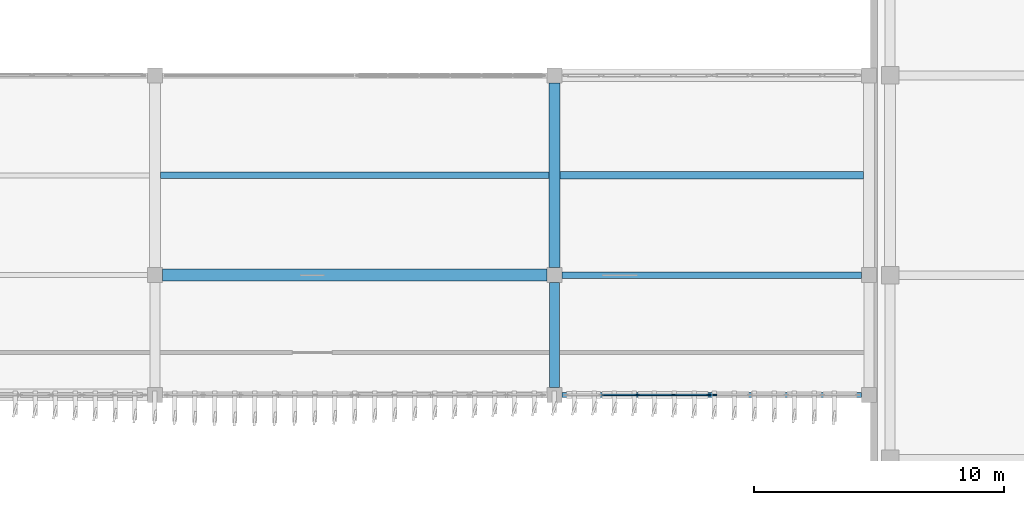
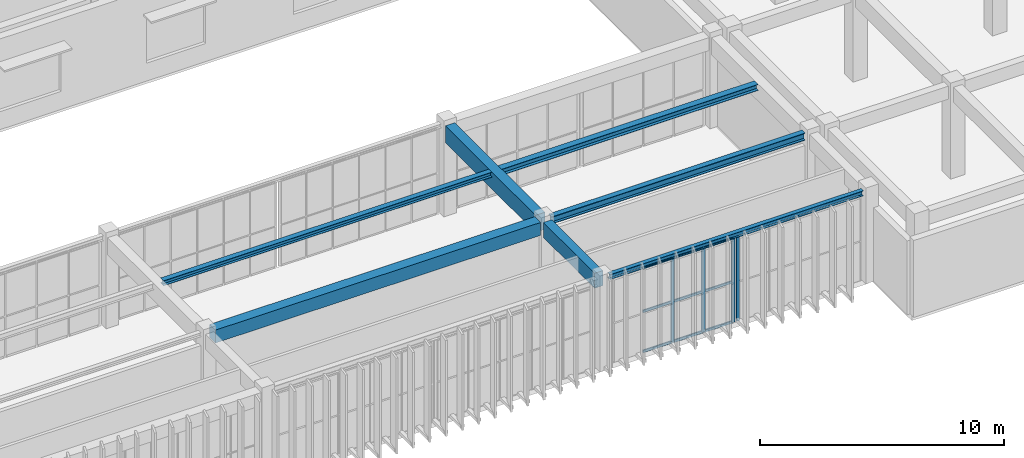
# One storey, part 17 of 64: 13 members, 7 beams, 2 elements without a shape of their own.
"""IFC4 building model written with IfcOpenShell, lengths in metres."""

from ifc_helpers import new_model, si_unit, direction, frame, origin, origin_2d, place, context, subcontext, project, spatial, rectangle, i_section, extrude, material, layer, layer_set, material_profile, profile_set, type_object, element, aggregate, save


model = new_model("IFC4")

# Units and contexts
model_context = context("Model", 3, precision=1e-05, world=origin(), true_north=direction((0.0, 1.0)))
body_context = subcontext(model_context, "Body", "Model", "MODEL_VIEW")
ifc_project = project(units=[si_unit("LENGTHUNIT", "METRE"), si_unit("AREAUNIT", "SQUARE_METRE"), si_unit("VOLUMEUNIT", "CUBIC_METRE"), si_unit("PLANEANGLEUNIT", "RADIAN"), si_unit("MASSUNIT", "GRAM", prefix="KILO")], contexts=[model_context])

# Site, building, storey
site_placement = place(None, origin())
site = spatial("IfcSite", under=ifc_project, at=site_placement, CompositionType="ELEMENT")
building_placement = place(site_placement, origin())
building = spatial("IfcBuilding", under=site, at=building_placement, Name="Cinchona Park Media Centre", CompositionType="ELEMENT")
storey_placement = place(building_placement, frame((0.0, 0.0, 5.39990234375)))
storey = spatial("IfcBuildingStorey", under=building, at=storey_placement, Name="L01", CompositionType="ELEMENT", Elevation=5.39990234375)

# Beams
ifc_material_1 = material(Name="Concrete C35/45", Category="concrete")
ifc_material_profile_1 = material_profile(ifc_material_1, rectangle(XDim=0.39990234375, YDim=0.75, at=origin_2d()), Name="RB 400X750")
ifc_profile_set_1 = profile_set([ifc_material_profile_1], Name="Concrete C35/45")
beam_type_1 = type_object("IfcBeamType", Name="BEAM-B01-RB400X750", PredefinedType="BEAM", material=ifc_profile_set_1)
beam_1_placement = place(storey_placement, frame((126.800048828125, 75.10009765625, 4.1650390625), z_axis=(0.0, 1.0, 0.0), x_axis=(-1.0, 0.0, 0.0)))
element("IfcBeam", 1, at=beam_1_placement, inside=storey, type_object=beam_type_1, Name="Girder B01 L01", PredefinedType="BEAM", context=body_context, shape_type="SweptSolid", body=[
    extrude(rectangle(XDim=0.39990234375, YDim=0.75, at=origin_2d()), origin(), (0.0, 0.0, 1.0), 4.199951171875),
])
ifc_material_2 = material(Name="Concrete C35/45", Category="concrete")
ifc_material_profile_2 = material_profile(ifc_material_2, rectangle(XDim=0.449951171875, YDim=0.85009765625, at=origin_2d()), Name="RB 450X850")
ifc_profile_set_2 = profile_set([ifc_material_profile_2], Name="Concrete C35/45")
beam_type_2 = type_object("IfcBeamType", Name="BEAM-B02-RB450X850", PredefinedType="BEAM", material=ifc_profile_set_2)
beam_2_placement = place(storey_placement, frame((126.800048828125, 79.89990234375, 4.114990234375), z_axis=(0.0, 1.0, 0.0), x_axis=(-1.0, 0.0, 0.0)))
element("IfcBeam", 2, at=beam_2_placement, inside=storey, type_object=beam_type_2, Name="Girder B02 L01", PredefinedType="BEAM", context=body_context, shape_type="SweptSolid", body=[
    extrude(rectangle(XDim=0.449951171875, YDim=0.85009765625, at=origin_2d()), origin(), (0.0, 0.0, 1.0), 7.400146484375),
])
ifc_material_3 = material(Name="Concrete C40/50", Category="concrete")
ifc_material_profile_3 = material_profile(ifc_material_3, rectangle(XDim=0.47998046875, YDim=0.64990234375, at=origin_2d()), Name="RB 480X650")
ifc_profile_set_3 = profile_set([ifc_material_profile_3], Name="Concrete C40/50")
beam_type_3 = type_object("IfcBeamType", Name="BEAM-B07-RB480X650", PredefinedType="BEAM", material=ifc_profile_set_3)
beam_3_placement = place(storey_placement, frame((111.10009765625, 79.60009765625, 4.215087890625), z_axis=(1.0, 0.0, 0.0), x_axis=(0.0, 1.0, 0.0)))
element("IfcBeam", 3, at=beam_3_placement, inside=storey, type_object=beam_type_3, Name="Beam B07 L01", PredefinedType="BEAM", context=body_context, shape_type="SweptSolid", body=[
    extrude(rectangle(XDim=0.47998046875, YDim=0.64990234375, at=origin_2d()), origin(), (0.0, 0.0, 1.0), 15.39990234375),
])
ifc_material_4 = material(Name="Steel S355", Category="steel")
ifc_material_profile_4 = material_profile(ifc_material_4, i_section(OverallWidth=0.257080078125, OverallDepth=0.363037109375, WebThickness=0.012939453125, FlangeThickness=0.021728515625, at=origin_2d()), Name="W360X122")
ifc_profile_set_4 = profile_set([ifc_material_profile_4], Name="Steel S355")
beam_type_4 = type_object("IfcBeamType", Name="BEAM-B08-W360X122", PredefinedType="BEAM", material=ifc_profile_set_4)
beam_4_placement = place(storey_placement, frame((127.10009765625, 79.60009765625, 4.358642578125), z_axis=(1.0, 0.0, 0.0), x_axis=(0.0, 1.0, 0.0)))
element("IfcBeam", 4, at=beam_4_placement, inside=storey, type_object=beam_type_4, Name="Beam B08 L01", PredefinedType="BEAM", context=body_context, shape_type="SweptSolid", body=[
    extrude(i_section(OverallWidth=0.257080078125, OverallDepth=0.363037109375, WebThickness=0.012939453125, FlangeThickness=0.021728515625, at=origin_2d()), origin(), (0.0, 0.0, 1.0), 12.0),
])
ifc_material_5 = material(Name="Steel S355", Category="steel")
ifc_material_profile_5 = material_profile(ifc_material_5, i_section(OverallWidth=0.202880859375, OverallDepth=0.251953125, WebThickness=0.008056640625, FlangeThickness=0.013427734375, at=origin_2d()), Name="W250X58")
ifc_profile_set_5 = profile_set([ifc_material_profile_5], Name="Steel S355")
beam_type_5 = type_object("IfcBeamType", Name="BEAM-B09-W250X58", PredefinedType="BEAM", material=ifc_profile_set_5)
beam_5_placement = place(storey_placement, frame((127.10009765625, 74.800048828125, 4.4140625), z_axis=(1.0, 0.0, 0.0), x_axis=(0.0, 1.0, 0.0)))
element("IfcBeam", 5, at=beam_5_placement, inside=storey, type_object=beam_type_5, Name="Beam B09 L01", PredefinedType="BEAM", context=body_context, shape_type="SweptSolid", body=[
    extrude(i_section(OverallWidth=0.202880859375, OverallDepth=0.251953125, WebThickness=0.008056640625, FlangeThickness=0.013427734375, at=origin_2d()), origin(), (0.0, 0.0, 1.0), 12.0),
])
ifc_material_6 = material(Name="Steel S355", Category="steel")
ifc_material_profile_6 = material_profile(ifc_material_6, i_section(OverallWidth=0.304931640625, OverallDepth=0.30810546875, WebThickness=0.010009765625, FlangeThickness=0.015380859375, at=origin_2d()), Name="W310X97")
ifc_profile_set_6 = profile_set([ifc_material_profile_6], Name="Steel S355")
beam_type_6 = type_object("IfcBeamType", Name="BEAM-J02-W310X97", PredefinedType="JOIST", material=ifc_profile_set_6)
beam_6_placement = place(storey_placement, frame((127.02490234375, 83.60009765625, 4.385986328125), z_axis=(1.0, 0.0, 0.0), x_axis=(0.0, 1.0, 0.0)))
element("IfcBeam", 6, at=beam_6_placement, inside=storey, type_object=beam_type_6, Name="Floor Joist J02 L01", PredefinedType="JOIST", context=body_context, shape_type="SweptSolid", body=[
    extrude(i_section(OverallWidth=0.304931640625, OverallDepth=0.30810546875, WebThickness=0.010009765625, FlangeThickness=0.015380859375, at=origin_2d()), origin(), (0.0, 0.0, 1.0), 12.150146484375),
])
ifc_material_7 = material(Name="Steel S355", Category="steel")
ifc_material_profile_7 = material_profile(ifc_material_7, i_section(OverallWidth=0.25390625, OverallDepth=0.2529296875, WebThickness=0.008544921875, FlangeThickness=0.01416015625, at=origin_2d()), Name="W250X73")
ifc_profile_set_7 = profile_set([ifc_material_profile_7], Name="Steel S355")
beam_type_7 = type_object("IfcBeamType", Name="BEAM-J04-W250X73", PredefinedType="JOIST", material=ifc_profile_set_7)
beam_7_placement = place(storey_placement, frame((111.02490234375, 83.60009765625, 4.41357421875), z_axis=(1.0, 0.0, 0.0), x_axis=(0.0, 1.0, 0.0)))
element("IfcBeam", 7, at=beam_7_placement, inside=storey, type_object=beam_type_7, Name="Floor Joist J04 L01", PredefinedType="JOIST", context=body_context, shape_type="SweptSolid", body=[
    extrude(i_section(OverallWidth=0.25390625, OverallDepth=0.2529296875, WebThickness=0.008544921875, FlangeThickness=0.01416015625, at=origin_2d()), origin(), (0.0, 0.0, 1.0), 15.550048828125),
])

# Curtain wall, member
ifc_material_8 = material(Name="Aluminium Curtain Wall Framing", Category="aluminium")
ifc_layer_1 = layer(ifc_material_8, 0.27001953125)
ifc_layer_set_1 = layer_set([ifc_layer_1], Name="Aluminium Curtain Wall Framing")
curtain_wall_type_1 = type_object("IfcCurtainWallType", Name="CW-CW07", PredefinedType="USERDEFINED", material=ifc_layer_set_1)
curtain_wall_1_placement = place(storey_placement, origin())
curtain_wall_1 = element("IfcCurtainWall", 8, at=curtain_wall_1_placement, inside=storey, type_object=curtain_wall_type_1, Name="Curtain Wall CW07 L01", ObjectType="UNITISED CURTAIN WALL", PredefinedType="USERDEFINED")
ifc_material_9 = material(Name="Anodised Aluminium Alloy 6063-T6", Category="aluminium")
ifc_material_profile_8 = material_profile(ifc_material_9, rectangle(XDim=0.06494140625, YDim=0.159912109375, at=origin_2d()), Name="MUL-65X160")
ifc_profile_set_8 = profile_set([ifc_material_profile_8], Name="Anodised Aluminium Alloy 6063-T6")
member_type_1 = type_object("IfcMemberType", Name="MULLION-MUL01", PredefinedType="MULLION", material=ifc_profile_set_8)
member_1_placement = place(storey_placement, frame((133.21240234375, 74.800048828125, 0.050048828125), z_axis=(0.0, 0.0, 1.0), x_axis=(0.0, -1.0, 0.0)))
member_1 = element("IfcMember", 9, at=member_1_placement, type_object=member_type_1, Name="CW07 mullion 5", PredefinedType="MULLION", context=body_context, shape_type="SweptSolid", body=[
    extrude(rectangle(XDim=0.06494140625, YDim=0.159912109375, at=origin_2d()), origin(), (0.0, 0.0, 1.0), 4.238037109375),
])
aggregate(curtain_wall_1, [member_1])

# Curtain wall, members
ifc_material_10 = material(Name="Aluminium Curtain Wall Framing", Category="aluminium")
ifc_layer_2 = layer(ifc_material_10, 0.284912109375)
ifc_layer_set_2 = layer_set([ifc_layer_2], Name="Aluminium Curtain Wall Framing")
curtain_wall_type_2 = type_object("IfcCurtainWallType", Name="CW-CW08", PredefinedType="USERDEFINED", material=ifc_layer_set_2)
curtain_wall_2_placement = place(storey_placement, origin())
curtain_wall_2 = element("IfcCurtainWall", 10, at=curtain_wall_2_placement, inside=storey, type_object=curtain_wall_type_2, Name="Curtain Wall CW08 L01", ObjectType="UNITISED CURTAIN WALL", PredefinedType="USERDEFINED")
member_2_placement = place(storey_placement, frame((132.987548828125, 74.800048828125, 0.050048828125), z_axis=(0.0, 0.0, 1.0), x_axis=(0.0, -1.0, 0.0)))
member_2 = element("IfcMember", 11, at=member_2_placement, type_object=member_type_1, Name="CW08 mullion 1", PredefinedType="MULLION", context=body_context, shape_type="SweptSolid", body=[
    extrude(rectangle(XDim=0.06494140625, YDim=0.159912109375, at=origin_2d()), origin(), (0.0, 0.0, 1.0), 4.238037109375),
])
member_3_placement = place(storey_placement, frame((131.570068359375, 74.800048828125, 0.050048828125), z_axis=(0.0, 0.0, 1.0), x_axis=(0.0, -1.0, 0.0)))
member_3 = element("IfcMember", 12, at=member_3_placement, type_object=member_type_1, Name="CW08 mullion 2", PredefinedType="MULLION", context=body_context, shape_type="SweptSolid", body=[
    extrude(rectangle(XDim=0.06494140625, YDim=0.159912109375, at=origin_2d()), origin(), (0.0, 0.0, 1.0), 4.238037109375),
])
member_4_placement = place(storey_placement, frame((130.1201171875, 74.800048828125, 0.050048828125), z_axis=(0.0, 0.0, 1.0), x_axis=(0.0, -1.0, 0.0)))
member_4 = element("IfcMember", 13, at=member_4_placement, type_object=member_type_1, Name="CW08 mullion 3", PredefinedType="MULLION", context=body_context, shape_type="SweptSolid", body=[
    extrude(rectangle(XDim=0.06494140625, YDim=0.159912109375, at=origin_2d()), origin(), (0.0, 0.0, 1.0), 4.238037109375),
])
ifc_material_11 = material(Name="Anodised Aluminium Alloy 6063-T6", Category="aluminium")
ifc_material_profile_9 = material_profile(ifc_material_11, rectangle(XDim=0.06494140625, YDim=0.1201171875, at=origin_2d()), Name="TRN-65X120")
ifc_profile_set_9 = profile_set([ifc_material_profile_9], Name="Anodised Aluminium Alloy 6063-T6")
member_type_2 = type_object("IfcMemberType", Name="TRANSOM-TRN01", PredefinedType="USERDEFINED", material=ifc_profile_set_9)
member_5_placement = place(storey_placement, frame((132.955078125, 74.800048828125, 0.08251953125), z_axis=(-1.0, 0.0, 0.0), x_axis=(0.0, -1.0, 0.0)))
member_5 = element("IfcMember", 14, at=member_5_placement, type_object=member_type_2, Name="CW08 transom 1.1", ObjectType="TRANSOM", PredefinedType="USERDEFINED", context=body_context, shape_type="SweptSolid", body=[
    extrude(rectangle(XDim=0.06494140625, YDim=0.1201171875, at=origin_2d()), origin(), (0.0, 0.0, 1.0), 1.3525390625),
])
member_6_placement = place(storey_placement, frame((132.955078125, 74.800048828125, 2.083984375), z_axis=(-1.0, 0.0, 0.0), x_axis=(0.0, -1.0, 0.0)))
member_6 = element("IfcMember", 15, at=member_6_placement, type_object=member_type_2, Name="CW08 transom 1.2", ObjectType="TRANSOM", PredefinedType="USERDEFINED", context=body_context, shape_type="SweptSolid", body=[
    extrude(rectangle(XDim=0.06494140625, YDim=0.1201171875, at=origin_2d()), origin(), (0.0, 0.0, 1.0), 1.3525390625),
])
member_7_placement = place(storey_placement, frame((132.955078125, 74.800048828125, 4.255615234375), z_axis=(-1.0, 0.0, 0.0), x_axis=(0.0, -1.0, 0.0)))
member_7 = element("IfcMember", 16, at=member_7_placement, type_object=member_type_2, Name="CW08 transom 1.3", ObjectType="TRANSOM", PredefinedType="USERDEFINED", context=body_context, shape_type="SweptSolid", body=[
    extrude(rectangle(XDim=0.06494140625, YDim=0.1201171875, at=origin_2d()), origin(), (0.0, 0.0, 1.0), 1.3525390625),
])
member_8_placement = place(storey_placement, frame((131.53759765625, 74.800048828125, 0.08251953125), z_axis=(-1.0, 0.0, 0.0), x_axis=(0.0, -1.0, 0.0)))
member_8 = element("IfcMember", 17, at=member_8_placement, type_object=member_type_2, Name="CW08 transom 2.1", ObjectType="TRANSOM", PredefinedType="USERDEFINED", context=body_context, shape_type="SweptSolid", body=[
    extrude(rectangle(XDim=0.06494140625, YDim=0.1201171875, at=origin_2d()), origin(), (0.0, 0.0, 1.0), 1.385009765625),
])
member_9_placement = place(storey_placement, frame((131.53759765625, 74.800048828125, 2.083984375), z_axis=(-1.0, 0.0, 0.0), x_axis=(0.0, -1.0, 0.0)))
member_9 = element("IfcMember", 18, at=member_9_placement, type_object=member_type_2, Name="CW08 transom 2.2", ObjectType="TRANSOM", PredefinedType="USERDEFINED", context=body_context, shape_type="SweptSolid", body=[
    extrude(rectangle(XDim=0.06494140625, YDim=0.1201171875, at=origin_2d()), origin(), (0.0, 0.0, 1.0), 1.385009765625),
])
member_10_placement = place(storey_placement, frame((131.53759765625, 74.800048828125, 4.255615234375), z_axis=(-1.0, 0.0, 0.0), x_axis=(0.0, -1.0, 0.0)))
member_10 = element("IfcMember", 19, at=member_10_placement, type_object=member_type_2, Name="CW08 transom 2.3", ObjectType="TRANSOM", PredefinedType="USERDEFINED", context=body_context, shape_type="SweptSolid", body=[
    extrude(rectangle(XDim=0.06494140625, YDim=0.1201171875, at=origin_2d()), origin(), (0.0, 0.0, 1.0), 1.385009765625),
])
member_11_placement = place(storey_placement, frame((130.08740234375, 74.800048828125, 0.08251953125), z_axis=(-1.0, 0.0, 0.0), x_axis=(0.0, -1.0, 0.0)))
member_11 = element("IfcMember", 20, at=member_11_placement, type_object=member_type_2, Name="CW08 transom 3.1", ObjectType="TRANSOM", PredefinedType="USERDEFINED", context=body_context, shape_type="SweptSolid", body=[
    extrude(rectangle(XDim=0.06494140625, YDim=0.1201171875, at=origin_2d()), origin(), (0.0, 0.0, 1.0), 1.385009765625),
])
member_12_placement = place(storey_placement, frame((130.08740234375, 74.800048828125, 2.083984375), z_axis=(-1.0, 0.0, 0.0), x_axis=(0.0, -1.0, 0.0)))
member_12 = element("IfcMember", 21, at=member_12_placement, type_object=member_type_2, Name="CW08 transom 3.2", ObjectType="TRANSOM", PredefinedType="USERDEFINED", context=body_context, shape_type="SweptSolid", body=[
    extrude(rectangle(XDim=0.06494140625, YDim=0.1201171875, at=origin_2d()), origin(), (0.0, 0.0, 1.0), 1.385009765625),
])
member_13_placement = place(storey_placement, frame((130.08740234375, 74.800048828125, 4.255615234375), z_axis=(-1.0, 0.0, 0.0), x_axis=(0.0, -1.0, 0.0)))
member_13 = element("IfcMember", 22, at=member_13_placement, type_object=member_type_2, Name="CW08 transom 3.3", ObjectType="TRANSOM", PredefinedType="USERDEFINED", context=body_context, shape_type="SweptSolid", body=[
    extrude(rectangle(XDim=0.06494140625, YDim=0.1201171875, at=origin_2d()), origin(), (0.0, 0.0, 1.0), 1.385009765625),
])
aggregate(curtain_wall_2, [member_2, member_3, member_4, member_5, member_6, member_7, member_8, member_9, member_10, member_11, member_12, member_13])

save(model, "model.ifc")
